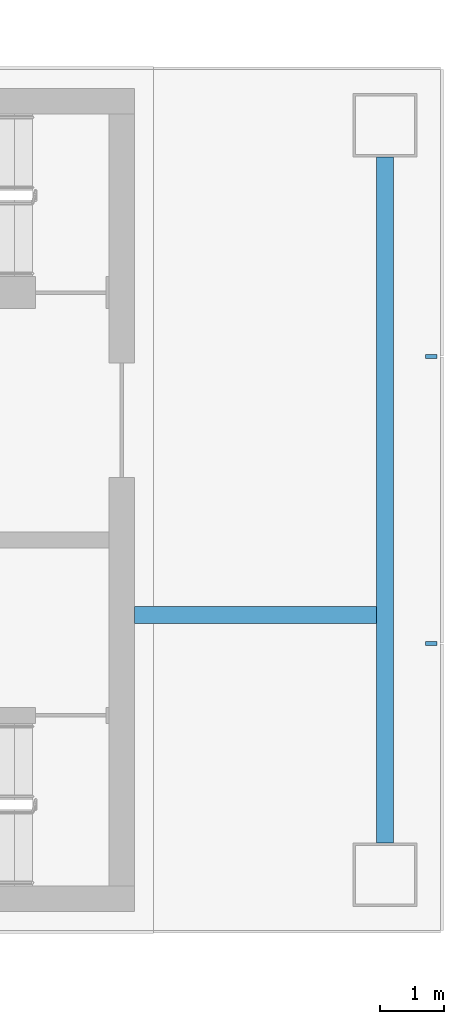
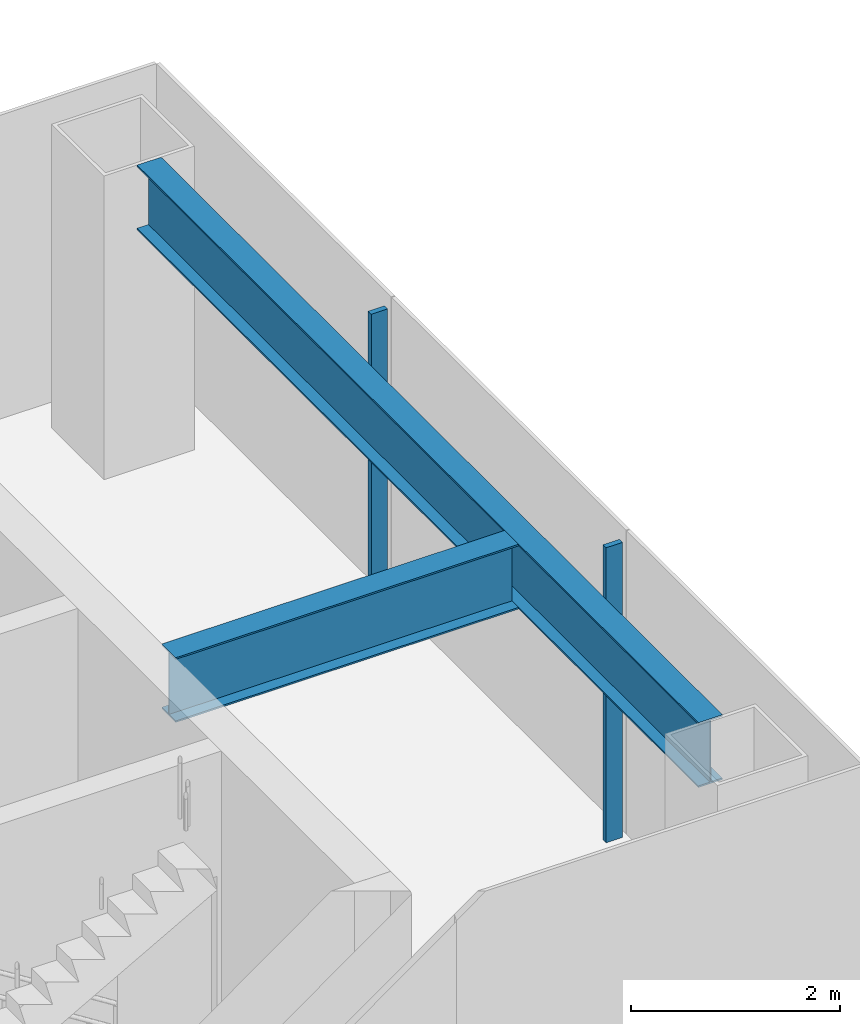
# One storey, part 6 of 16: 2 beams, 2 members, 1 element without a shape of its own.
"""IFC4 building model written with IfcOpenShell, lengths in metres."""

from ifc_helpers import new_model, si_unit, direction, frame, origin, origin_2d, place, context, subcontext, project, spatial, rectangle, i_section, extrude, material, layer, layer_set, material_profile, profile_set, type_object, element, aggregate, save


model = new_model("IFC4")

# Units and contexts
model_context = context("Model", 3, precision=1e-05, world=origin(), true_north=direction((0.0, 1.0)))
body_context = subcontext(model_context, "Body", "Model", "MODEL_VIEW")
ifc_project = project(units=[si_unit("LENGTHUNIT", "METRE"), si_unit("AREAUNIT", "SQUARE_METRE"), si_unit("VOLUMEUNIT", "CUBIC_METRE"), si_unit("PLANEANGLEUNIT", "RADIAN"), si_unit("MASSUNIT", "GRAM", prefix="KILO")], contexts=[model_context])

# Site, building, storey
site_placement = place(None, origin())
site = spatial("IfcSite", under=ifc_project, at=site_placement, CompositionType="ELEMENT")
building_placement = place(site_placement, origin())
building = spatial("IfcBuilding", under=site, at=building_placement, Name="Shamsa Quay Exchange Towers", CompositionType="ELEMENT")
storey_placement = place(building_placement, frame((0.0, 0.0, 186.60009765625)))
storey = spatial("IfcBuildingStorey", under=building, at=storey_placement, Name="L44", CompositionType="ELEMENT", Elevation=186.60009765625)

# Curtain wall, members
ifc_material_1 = material(Name="Aluminium EN AW-6063 T6, black anodised", Category="aluminium")
ifc_layer = layer(ifc_material_1, 0.280029296875)
ifc_layer_set = layer_set([ifc_layer], Name="CW-1 UNITISED VISION GLASS")
curtain_wall_type = type_object("IfcCurtainWallType", Name="CW-1 UNITISED VISION GLASS", PredefinedType="NOTDEFINED", material=ifc_layer_set)
curtain_wall_placement = place(storey_placement, origin())
curtain_wall = element("IfcCurtainWall", 1, at=curtain_wall_placement, inside=storey, type_object=curtain_wall_type, Name="CW1 T2-END-V- L44", PredefinedType="NOTDEFINED")
ifc_material_profile_1 = material_profile(ifc_material_1, rectangle(XDim=0.179931640625, YDim=0.06005859375, at=origin_2d()), Name="MU60x180")
ifc_profile_set_1 = profile_set([ifc_material_profile_1], Name="Aluminium EN AW-6063 T6, black anodised")
member_type = type_object("IfcMemberType", Name="CW1 MULLION 60x180", PredefinedType="MULLION", material=ifc_profile_set_1)
member_1_placement = place(storey_placement, frame((58.35009765625, -2.25, 0.0), z_axis=(0.0, 0.0, 1.0), x_axis=(-1.0, 0.0, 0.0)))
member_1 = element("IfcMember", 2, at=member_1_placement, type_object=member_type, Name="CW1 mullion", PredefinedType="MULLION", context=body_context, shape_type="SweptSolid", body=[
    extrude(rectangle(XDim=0.179931640625, YDim=0.06005859375, at=origin_2d()), origin(), (0.0, 0.0, 1.0), 3.449951171875),
])
member_2_placement = place(storey_placement, frame((58.35009765625, 2.25, 0.0), z_axis=(0.0, 0.0, 1.0), x_axis=(-1.0, 0.0, 0.0)))
member_2 = element("IfcMember", 3, at=member_2_placement, type_object=member_type, Name="CW1 mullion", PredefinedType="MULLION", context=body_context, shape_type="SweptSolid", body=[
    extrude(rectangle(XDim=0.179931640625, YDim=0.06005859375, at=origin_2d()), origin(), (0.0, 0.0, 1.0), 3.449951171875),
])
aggregate(curtain_wall, [member_1, member_2])

# Beams
ifc_material_2 = material(Name="Steel S355", Category="steel")
ifc_material_profile_2 = material_profile(ifc_material_2, i_section(OverallWidth=0.26611328125, OverallDepth=0.7578125, WebThickness=0.013916015625, FlangeThickness=0.019287109375, at=origin_2d()), Name="W30x108")
ifc_profile_set_2 = profile_set([ifc_material_profile_2], Name="Steel S355")
beam_type = type_object("IfcBeamType", Name="End-zone beam W30x108", PredefinedType="BEAM", material=ifc_profile_set_2)
beam_1_placement = place(storey_placement, frame((57.625, -5.375, 3.171142578125), z_axis=(0.0, 1.0, 0.0), x_axis=(-1.0, 0.0, 0.0)))
element("IfcBeam", 4, at=beam_1_placement, inside=storey, type_object=beam_type, Name="End beam T2 V- end zone L44", PredefinedType="BEAM", context=body_context, shape_type="SweptSolid", body=[
    extrude(i_section(OverallWidth=0.26611328125, OverallDepth=0.7578125, WebThickness=0.013916015625, FlangeThickness=0.019287109375, at=origin_2d()), origin(), (0.0, 0.0, 1.0), 10.75),
])
beam_2_placement = place(storey_placement, frame((53.699951171875, -1.800048828125, 3.171142578125), z_axis=(1.0, 0.0, 0.0), x_axis=(0.0, 1.0, 0.0)))
element("IfcBeam", 5, at=beam_2_placement, inside=storey, type_object=beam_type, Name="Spine beam T2 V- end zone L44", PredefinedType="BEAM", context=body_context, shape_type="SweptSolid", body=[
    extrude(i_section(OverallWidth=0.26611328125, OverallDepth=0.7578125, WebThickness=0.013916015625, FlangeThickness=0.019287109375, at=origin_2d()), origin(), (0.0, 0.0, 1.0), 3.7919921875),
])

save(model, "model.ifc")
